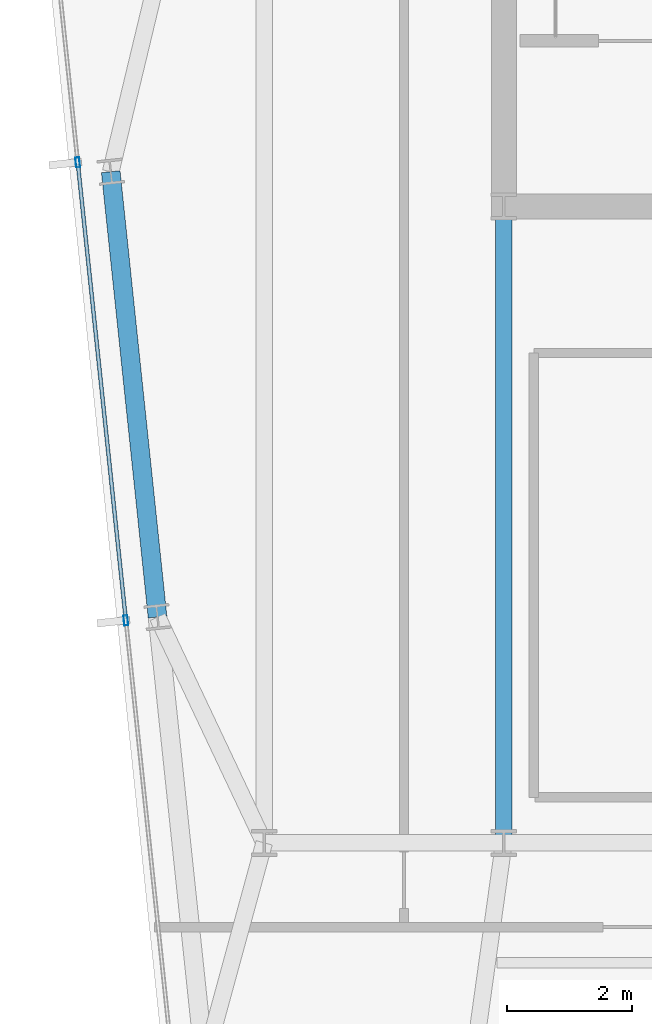
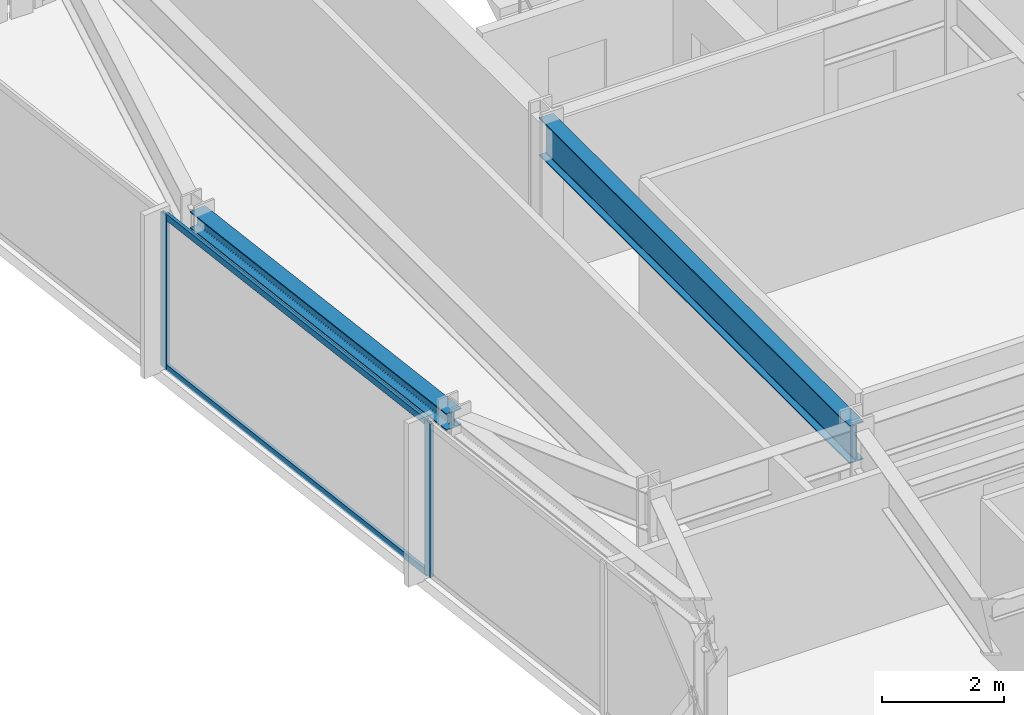
# One storey, part 10 of 33: 4 members, 2 beams, 1 element without a shape of its own.
"""IFC4 building model written with IfcOpenShell, lengths in metres."""

from ifc_helpers import new_model, si_unit, direction, frame, origin, origin_2d, place, context, subcontext, project, spatial, hollow_rectangle, i_section, extrude, material, material_profile, profile_set, type_object, element, aggregate, save


model = new_model("IFC4")

# Units and contexts
model_context = context("Model", 3, precision=1e-05, world=origin(), true_north=direction((0.0, 1.0)))
body_context = subcontext(model_context, "Body", "Model", "MODEL_VIEW")
ifc_project = project(units=[si_unit("LENGTHUNIT", "METRE"), si_unit("AREAUNIT", "SQUARE_METRE"), si_unit("VOLUMEUNIT", "CUBIC_METRE"), si_unit("PLANEANGLEUNIT", "RADIAN"), si_unit("MASSUNIT", "GRAM", prefix="KILO")], contexts=[model_context])

# Site, building, storey
site_placement = place(None, origin())
site = spatial("IfcSite", under=ifc_project, at=site_placement, CompositionType="ELEMENT")
building_placement = place(site_placement, origin())
building = spatial("IfcBuilding", under=site, at=building_placement, Name="Yelkora Congress Tower", CompositionType="ELEMENT")
storey_placement = place(building_placement, frame((0.0, 0.0, 224.300048828125)))
storey = spatial("IfcBuildingStorey", under=building, at=storey_placement, Name="L62", CompositionType="ELEMENT", Elevation=224.300048828125)

# Beams
ifc_material_1 = material(Name="Steel S355J2", Category="steel")
ifc_material_profile_1 = material_profile(ifc_material_1, i_section(OverallWidth=0.26708984375, OverallDepth=0.761962890625, WebThickness=0.014404296875, FlangeThickness=0.021484375, FilletRadius=0.01708984375, at=origin_2d()), Name="IPE 750x173")
ifc_profile_set_1 = profile_set([ifc_material_profile_1], Name="Steel S355J2")
beam_type_1 = type_object("IfcBeamType", Name="BM-GIRD-IPE750", PredefinedType="BEAM", material=ifc_profile_set_1)
beam_1_placement = place(storey_placement, frame((23.0400390625, 25.199951171875, 2.698974609375), z_axis=(0.0, 1.0, 0.0), x_axis=(-1.0, 0.0, 0.0)))
element("IfcBeam", 1, at=beam_1_placement, inside=storey, type_object=beam_type_1, Name="L62 Core Tie Girder MC-D1", PredefinedType="BEAM", context=body_context, shape_type="SweptSolid", body=[
    extrude(i_section(OverallWidth=0.26708984375, OverallDepth=0.761962890625, WebThickness=0.014404296875, FlangeThickness=0.021484375, FilletRadius=0.01708984375, at=origin_2d()), origin(), (0.0, 0.0, 1.0), 10.199951171875),
])
ifc_material_profile_2 = material_profile(ifc_material_1, i_section(OverallWidth=0.300048828125, OverallDepth=0.340087890625, WebThickness=0.011962890625, FlangeThickness=0.021484375, FilletRadius=0.027099609375, at=origin_2d()), Name="HEB 340")
ifc_profile_set_2 = profile_set([ifc_material_profile_2], Name="Steel S355J2")
beam_type_2 = type_object("IfcBeamType", Name="BM-SPAN-HEB340", PredefinedType="SPANDREL", material=ifc_profile_set_2)
beam_2_placement = place(storey_placement, frame((16.7412109375, 35.95458984375, 2.909912109375), z_axis=(0.104528914631, -0.994521847928, 0.0), x_axis=(0.994521847928, 0.104528914631, 0.0)))
element("IfcBeam", 2, at=beam_2_placement, inside=storey, type_object=beam_type_2, Name="L62 Perimeter Beam 17", PredefinedType="SPANDREL", context=body_context, shape_type="SweptSolid", body=[
    extrude(i_section(OverallWidth=0.300048828125, OverallDepth=0.340087890625, WebThickness=0.011962890625, FlangeThickness=0.021484375, FilletRadius=0.027099609375, at=origin_2d()), origin(), (0.0, 0.0, 1.0), 7.175048828125),
])

# Curtain wall, members
ifc_material_2 = material(Name="Anodised aluminium and insulated glass", Category="aluminium")
curtain_wall_type = type_object("IfcCurtainWallType", Name="CW-SYS-B4", PredefinedType="NOTDEFINED", material=ifc_material_2)
curtain_wall_placement = place(storey_placement, origin())
curtain_wall = element("IfcCurtainWall", 3, at=curtain_wall_placement, inside=storey, type_object=curtain_wall_type, Name="L62 Unitised Curtain Wall 5", PredefinedType="NOTDEFINED")
ifc_material_3 = material(Name="Anodised aluminium 6063-T6", Category="aluminium")
ifc_material_profile_3 = material_profile(ifc_material_3, hollow_rectangle(XDim=0.06494140625, YDim=0.159912109375, WallThickness=0.00390625, at=origin_2d()), Name="ALU 65x160x4")
ifc_profile_set_3 = profile_set([ifc_material_profile_3], Name="Anodised aluminium 6063-T6")
member_type_1 = type_object("IfcMemberType", Name="MEM-ML-B4", PredefinedType="MULLION", material=ifc_profile_set_3)
member_1_placement = place(storey_placement, frame((16.98388671875, 28.765625, 0.0), z_axis=(0.0, 0.0, 1.0), x_axis=(-0.994522145958, -0.104526079034, 0.0)))
member_1 = element("IfcMember", 4, at=member_1_placement, type_object=member_type_1, Name="CW-B4 mullion 3", PredefinedType="MULLION", context=body_context, shape_type="SweptSolid", body=[
    extrude(hollow_rectangle(XDim=0.06494140625, YDim=0.159912109375, WallThickness=0.00390625, at=origin_2d()), origin(), (0.0, 0.0, 1.0), 3.079833984375),
])
member_2_placement = place(storey_placement, frame((16.21240234375, 36.105224609375, 0.0), z_axis=(0.0, 0.0, 1.0), x_axis=(-0.994522145958, -0.104526079034, 0.0)))
member_2 = element("IfcMember", 5, at=member_2_placement, type_object=member_type_1, Name="CW-B4 mullion 4", PredefinedType="MULLION", context=body_context, shape_type="SweptSolid", body=[
    extrude(hollow_rectangle(XDim=0.06494140625, YDim=0.159912109375, WallThickness=0.00390625, at=origin_2d()), origin(), (0.0, 0.0, 1.0), 3.079833984375),
])
ifc_material_profile_4 = material_profile(ifc_material_3, hollow_rectangle(XDim=0.06005859375, YDim=0.1298828125, WallThickness=0.00390625, at=origin_2d()), Name="ALU 60x130x4")
ifc_profile_set_4 = profile_set([ifc_material_profile_4], Name="Anodised aluminium 6063-T6")
member_type_2 = type_object("IfcMemberType", Name="MEM-TR-B4", PredefinedType="USERDEFINED", material=ifc_profile_set_4)
member_3_placement = place(storey_placement, frame((16.98046875, 28.7978515625, 0.030029296875), z_axis=(-0.104531896307, 0.994521534535, 0.0), x_axis=(-0.994521534535, -0.104531896307, 0.0)))
member_3 = element("IfcMember", 6, at=member_3_placement, type_object=member_type_2, Name="CW-B4 transom 3.1", ObjectType="TRANSOM", PredefinedType="USERDEFINED", context=body_context, shape_type="SweptSolid", body=[
    extrude(hollow_rectangle(XDim=0.06005859375, YDim=0.1298828125, WallThickness=0.00390625, at=origin_2d()), origin(), (0.0, 0.0, 1.0), 7.31494140625),
])
member_4_placement = place(storey_placement, frame((16.98046875, 28.7978515625, 3.050048828125), z_axis=(-0.104531896307, 0.994521534535, 0.0), x_axis=(-0.994521534535, -0.104531896307, 0.0)))
member_4 = element("IfcMember", 7, at=member_4_placement, type_object=member_type_2, Name="CW-B4 transom 3.2", ObjectType="TRANSOM", PredefinedType="USERDEFINED", context=body_context, shape_type="SweptSolid", body=[
    extrude(hollow_rectangle(XDim=0.06005859375, YDim=0.1298828125, WallThickness=0.00390625, at=origin_2d()), origin(), (0.0, 0.0, 1.0), 7.31494140625),
])
aggregate(curtain_wall, [member_1, member_2, member_3, member_4])

save(model, "model.ifc")
